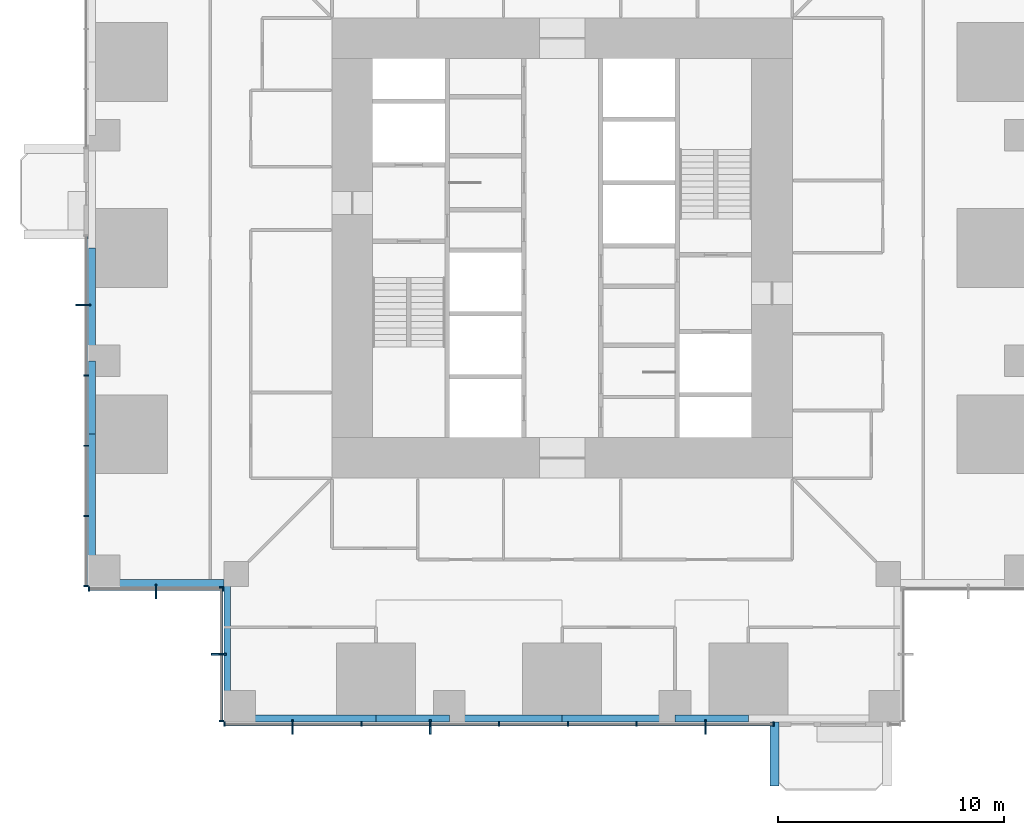
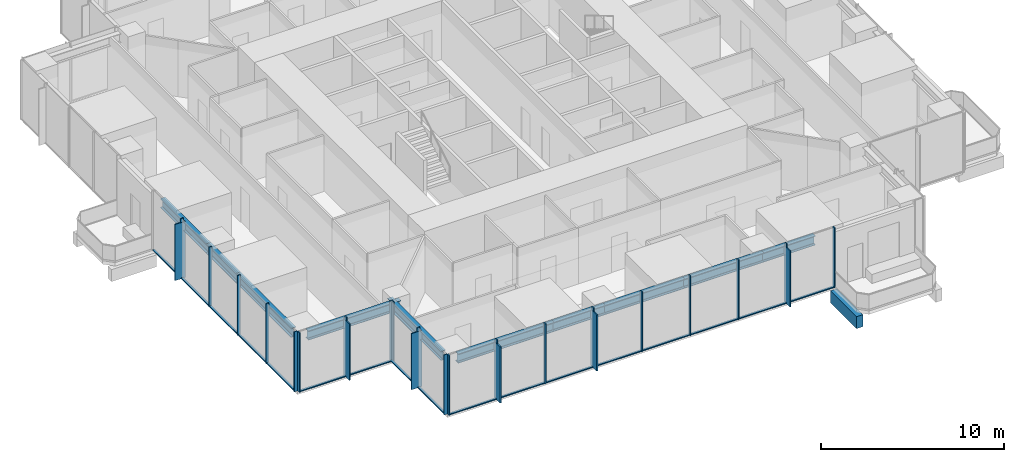
# One storey, part 2 of 15: 43 members, 11 beams, 4 elements without a shape of their own.
"""IFC4 building model written with IfcOpenShell, lengths in metres."""

from ifc_helpers import new_model, si_unit, direction, frame, origin, origin_2d, place, context, subcontext, project, spatial, rectangle, i_section, extrude, material, material_profile, profile_set, type_object, element, aggregate, save


model = new_model("IFC4")

# Units and contexts
model_context = context("Model", 3, precision=1e-05, world=origin(), true_north=direction((0.0, 1.0)))
body_context = subcontext(model_context, "Body", "Model", "MODEL_VIEW")
ifc_project = project(units=[si_unit("LENGTHUNIT", "METRE"), si_unit("AREAUNIT", "SQUARE_METRE"), si_unit("VOLUMEUNIT", "CUBIC_METRE"), si_unit("PLANEANGLEUNIT", "RADIAN"), si_unit("MASSUNIT", "GRAM", prefix="KILO")], contexts=[model_context])

# Site, building, storey
site_placement = place(None, origin())
site = spatial("IfcSite", under=ifc_project, at=site_placement, CompositionType="ELEMENT")
building_placement = place(site_placement, origin())
building = spatial("IfcBuilding", under=site, at=building_placement, Name="Svetlomir Tower", CompositionType="ELEMENT")
storey_placement = place(building_placement, frame((0.0, 0.0, 26.5)))
storey = spatial("IfcBuildingStorey", under=building, at=storey_placement, Name="L05", CompositionType="ELEMENT", Elevation=26.5)

# Beam
ifc_material_1 = material(Name="Concrete C60/75", Category="concrete")
ifc_material_profile_1 = material_profile(ifc_material_1, rectangle(XDim=0.39990234375, YDim=0.800048828125, at=origin_2d()), Name="RC 400x800")
ifc_profile_set_1 = profile_set([ifc_material_profile_1], Name="Concrete C60/75")
beam_type_1 = type_object("IfcBeamType", Name="BALCONY RIB RC 400x800", PredefinedType="BEAM", material=ifc_profile_set_1)
beam_1_placement = place(storey_placement, frame((30.39990234375, 0.0, -0.64990234375), z_axis=(0.0, -1.0, 0.0), x_axis=(1.0, 0.0, 0.0)))
element("IfcBeam", 1, at=beam_1_placement, inside=storey, type_object=beam_type_1, Name="Balcony rib S 1 L05", PredefinedType="BEAM", context=body_context, shape_type="SweptSolid", body=[
    extrude(rectangle(XDim=0.39990234375, YDim=0.800048828125, at=origin_2d()), origin(), (0.0, 0.0, 1.0), 2.85009765625),
])

# Curtain wall, members
ifc_material_2 = material(Name="Bronze anodised aluminium curtain wall", Category="aluminium")
curtain_wall_type = type_object("IfcCurtainWallType", Name="CURTAIN WALL CW1 TOWER OFFICE", PredefinedType="NOTDEFINED", material=ifc_material_2)
curtain_wall_1_placement = place(storey_placement, origin())
curtain_wall_1 = element("IfcCurtainWall", 2, at=curtain_wall_1_placement, inside=storey, type_object=curtain_wall_type, Name="Curtain wall CW1 L05", PredefinedType="NOTDEFINED")
ifc_material_3 = material(Name="Bronze anodised aluminium", Category="aluminium")
ifc_material_profile_2 = material_profile(ifc_material_3, rectangle(XDim=0.080078125, YDim=0.64990234375, at=origin_2d()), Name="FIN 80x650")
ifc_profile_set_2 = profile_set([ifc_material_profile_2], Name="Bronze anodised aluminium 6063-T6")
member_type_1 = type_object("IfcMemberType", Name="BRONZE FIN 80x650", PredefinedType="USERDEFINED", material=ifc_profile_set_2)
member_1_placement = place(storey_placement, frame((9.050048828125, -0.22509765625, 0.0), z_axis=(0.0, 0.0, 1.0), x_axis=(1.0, 0.0, 0.0)))
member_1 = element("IfcMember", 3, at=member_1_placement, type_object=member_type_1, Name="Bronze fin L05", ObjectType="FIN", PredefinedType="USERDEFINED", context=body_context, shape_type="SweptSolid", body=[
    extrude(rectangle(XDim=0.080078125, YDim=0.64990234375, at=origin_2d()), origin(), (0.0, 0.0, 1.0), 3.75),
])
member_2_placement = place(storey_placement, frame((15.14990234375, -0.22509765625, 0.0), z_axis=(0.0, 0.0, 1.0), x_axis=(1.0, 0.0, 0.0)))
member_2 = element("IfcMember", 4, at=member_2_placement, type_object=member_type_1, Name="Bronze fin L05", ObjectType="FIN", PredefinedType="USERDEFINED", context=body_context, shape_type="SweptSolid", body=[
    extrude(rectangle(XDim=0.080078125, YDim=0.64990234375, at=origin_2d()), origin(), (0.0, 0.0, 1.0), 3.75),
])
member_3_placement = place(storey_placement, frame((27.35009765625, -0.22509765625, 0.0), z_axis=(0.0, 0.0, 1.0), x_axis=(1.0, 0.0, 0.0)))
member_3 = element("IfcMember", 5, at=member_3_placement, type_object=member_type_1, Name="Bronze fin L05", ObjectType="FIN", PredefinedType="USERDEFINED", context=body_context, shape_type="SweptSolid", body=[
    extrude(rectangle(XDim=0.080078125, YDim=0.64990234375, at=origin_2d()), origin(), (0.0, 0.0, 1.0), 3.75),
])

# Curtain wall, member
curtain_wall_2_placement = place(storey_placement, origin())
curtain_wall_2 = element("IfcCurtainWall", 6, at=curtain_wall_2_placement, inside=storey, type_object=curtain_wall_type, Name="Curtain wall CW1 L05", PredefinedType="NOTDEFINED")
member_4_placement = place(storey_placement, frame((-0.22509765625, 18.47998046875, 0.0), z_axis=(0.0, 0.0, 1.0), x_axis=(0.0, 1.0, 0.0)))
member_4 = element("IfcMember", 7, at=member_4_placement, type_object=member_type_1, Name="Bronze fin L05", ObjectType="FIN", PredefinedType="USERDEFINED", context=body_context, shape_type="SweptSolid", body=[
    extrude(rectangle(XDim=0.080078125, YDim=0.64990234375, at=origin_2d()), origin(), (0.0, 0.0, 1.0), 3.75),
])

curtain_wall_3_placement = place(storey_placement, origin())
curtain_wall_3 = element("IfcCurtainWall", 8, at=curtain_wall_3_placement, inside=storey, type_object=curtain_wall_type, Name="Curtain wall CW1 L05", PredefinedType="NOTDEFINED")
member_5_placement = place(storey_placement, frame((3.0, 5.77490234375, 0.0), z_axis=(0.0, 0.0, 1.0), x_axis=(1.0, 0.0, 0.0)))
member_5 = element("IfcMember", 9, at=member_5_placement, type_object=member_type_1, Name="Bronze fin L05", ObjectType="FIN", PredefinedType="USERDEFINED", context=body_context, shape_type="SweptSolid", body=[
    extrude(rectangle(XDim=0.080078125, YDim=0.64990234375, at=origin_2d()), origin(), (0.0, 0.0, 1.0), 3.75),
])

curtain_wall_4_placement = place(storey_placement, origin())
curtain_wall_4 = element("IfcCurtainWall", 10, at=curtain_wall_4_placement, inside=storey, type_object=curtain_wall_type, Name="Curtain wall CW1 L05", PredefinedType="NOTDEFINED")
member_6_placement = place(storey_placement, frame((5.77490234375, 3.0, 0.0), z_axis=(0.0, 0.0, 1.0), x_axis=(0.0, 1.0, 0.0)))
member_6 = element("IfcMember", 11, at=member_6_placement, type_object=member_type_1, Name="Bronze fin L05", ObjectType="FIN", PredefinedType="USERDEFINED", context=body_context, shape_type="SweptSolid", body=[
    extrude(rectangle(XDim=0.080078125, YDim=0.64990234375, at=origin_2d()), origin(), (0.0, 0.0, 1.0), 3.75),
])

# Member
ifc_material_4 = material(Name="Bronze anodised aluminium", Category="aluminium")
ifc_material_profile_3 = material_profile(ifc_material_4, rectangle(XDim=0.06494140625, YDim=0.199951171875, at=origin_2d()), Name="AL 65x200")
ifc_profile_set_3 = profile_set([ifc_material_profile_3], Name="Bronze anodised aluminium 6063-T6")
member_type_2 = type_object("IfcMemberType", Name="CW1 MULLION 65x200", PredefinedType="MULLION", material=ifc_profile_set_3)
member_7_placement = place(storey_placement, frame((6.032470703125, -0.10009765625, 0.0), z_axis=(0.0, 0.0, 1.0), x_axis=(1.0, 0.0, 0.0)))
member_7 = element("IfcMember", 12, at=member_7_placement, type_object=member_type_2, Name="CW1 mullion 1", PredefinedType="MULLION", context=body_context, shape_type="SweptSolid", body=[
    extrude(rectangle(XDim=0.06494140625, YDim=0.199951171875, at=origin_2d()), origin(), (0.0, 0.0, 1.0), 4.0),
])

member_8_placement = place(storey_placement, frame((9.050048828125, -0.10009765625, 0.0), z_axis=(0.0, 0.0, 1.0), x_axis=(1.0, 0.0, 0.0)))
member_8 = element("IfcMember", 13, at=member_8_placement, type_object=member_type_2, Name="CW1 mullion 2", PredefinedType="MULLION", context=body_context, shape_type="SweptSolid", body=[
    extrude(rectangle(XDim=0.06494140625, YDim=0.199951171875, at=origin_2d()), origin(), (0.0, 0.0, 1.0), 4.0),
])

member_9_placement = place(storey_placement, frame((12.10009765625, -0.10009765625, 0.0), z_axis=(0.0, 0.0, 1.0), x_axis=(1.0, 0.0, 0.0)))
member_9 = element("IfcMember", 14, at=member_9_placement, type_object=member_type_2, Name="CW1 mullion 3", PredefinedType="MULLION", context=body_context, shape_type="SweptSolid", body=[
    extrude(rectangle(XDim=0.06494140625, YDim=0.199951171875, at=origin_2d()), origin(), (0.0, 0.0, 1.0), 4.0),
])

member_10_placement = place(storey_placement, frame((15.14990234375, -0.10009765625, 0.0), z_axis=(0.0, 0.0, 1.0), x_axis=(1.0, 0.0, 0.0)))
member_10 = element("IfcMember", 15, at=member_10_placement, type_object=member_type_2, Name="CW1 mullion 4", PredefinedType="MULLION", context=body_context, shape_type="SweptSolid", body=[
    extrude(rectangle(XDim=0.06494140625, YDim=0.199951171875, at=origin_2d()), origin(), (0.0, 0.0, 1.0), 4.0),
])

member_11_placement = place(storey_placement, frame((18.199951171875, -0.10009765625, 0.0), z_axis=(0.0, 0.0, 1.0), x_axis=(1.0, 0.0, 0.0)))
member_11 = element("IfcMember", 16, at=member_11_placement, type_object=member_type_2, Name="CW1 mullion 5", PredefinedType="MULLION", context=body_context, shape_type="SweptSolid", body=[
    extrude(rectangle(XDim=0.06494140625, YDim=0.199951171875, at=origin_2d()), origin(), (0.0, 0.0, 1.0), 4.0),
])

member_12_placement = place(storey_placement, frame((21.25, -0.10009765625, 0.0), z_axis=(0.0, 0.0, 1.0), x_axis=(1.0, 0.0, 0.0)))
member_12 = element("IfcMember", 17, at=member_12_placement, type_object=member_type_2, Name="CW1 mullion 6", PredefinedType="MULLION", context=body_context, shape_type="SweptSolid", body=[
    extrude(rectangle(XDim=0.06494140625, YDim=0.199951171875, at=origin_2d()), origin(), (0.0, 0.0, 1.0), 4.0),
])

member_13_placement = place(storey_placement, frame((24.300048828125, -0.10009765625, 0.0), z_axis=(0.0, 0.0, 1.0), x_axis=(1.0, 0.0, 0.0)))
member_13 = element("IfcMember", 18, at=member_13_placement, type_object=member_type_2, Name="CW1 mullion 7", PredefinedType="MULLION", context=body_context, shape_type="SweptSolid", body=[
    extrude(rectangle(XDim=0.06494140625, YDim=0.199951171875, at=origin_2d()), origin(), (0.0, 0.0, 1.0), 4.0),
])

member_14_placement = place(storey_placement, frame((27.35009765625, -0.10009765625, 0.0), z_axis=(0.0, 0.0, 1.0), x_axis=(1.0, 0.0, 0.0)))
member_14 = element("IfcMember", 19, at=member_14_placement, type_object=member_type_2, Name="CW1 mullion 8", PredefinedType="MULLION", context=body_context, shape_type="SweptSolid", body=[
    extrude(rectangle(XDim=0.06494140625, YDim=0.199951171875, at=origin_2d()), origin(), (0.0, 0.0, 1.0), 4.0),
])

member_15_placement = place(storey_placement, frame((30.367431640625, -0.10009765625, 0.0), z_axis=(0.0, 0.0, 1.0), x_axis=(1.0, 0.0, 0.0)))
member_15 = element("IfcMember", 20, at=member_15_placement, type_object=member_type_2, Name="CW1 mullion 9", PredefinedType="MULLION", context=body_context, shape_type="SweptSolid", body=[
    extrude(rectangle(XDim=0.06494140625, YDim=0.199951171875, at=origin_2d()), origin(), (0.0, 0.0, 1.0), 4.0),
])

member_16_placement = place(storey_placement, frame((-0.10009765625, 18.47998046875, 0.0), z_axis=(0.0, 0.0, 1.0), x_axis=(0.0, -1.0, 0.0)))
member_16 = element("IfcMember", 21, at=member_16_placement, type_object=member_type_2, Name="CW1 mullion 2", PredefinedType="MULLION", context=body_context, shape_type="SweptSolid", body=[
    extrude(rectangle(XDim=0.06494140625, YDim=0.199951171875, at=origin_2d()), origin(), (0.0, 0.0, 1.0), 4.0),
])

member_17_placement = place(storey_placement, frame((-0.10009765625, 15.360107421875, 0.0), z_axis=(0.0, 0.0, 1.0), x_axis=(0.0, -1.0, 0.0)))
member_17 = element("IfcMember", 22, at=member_17_placement, type_object=member_type_2, Name="CW1 mullion 3", PredefinedType="MULLION", context=body_context, shape_type="SweptSolid", body=[
    extrude(rectangle(XDim=0.06494140625, YDim=0.199951171875, at=origin_2d()), origin(), (0.0, 0.0, 1.0), 4.0),
])

member_18_placement = place(storey_placement, frame((-0.10009765625, 12.239990234375, 0.0), z_axis=(0.0, 0.0, 1.0), x_axis=(0.0, -1.0, 0.0)))
member_18 = element("IfcMember", 23, at=member_18_placement, type_object=member_type_2, Name="CW1 mullion 4", PredefinedType="MULLION", context=body_context, shape_type="SweptSolid", body=[
    extrude(rectangle(XDim=0.06494140625, YDim=0.199951171875, at=origin_2d()), origin(), (0.0, 0.0, 1.0), 4.0),
])

member_19_placement = place(storey_placement, frame((-0.10009765625, 9.1201171875, 0.0), z_axis=(0.0, 0.0, 1.0), x_axis=(0.0, -1.0, 0.0)))
member_19 = element("IfcMember", 24, at=member_19_placement, type_object=member_type_2, Name="CW1 mullion 5", PredefinedType="MULLION", context=body_context, shape_type="SweptSolid", body=[
    extrude(rectangle(XDim=0.06494140625, YDim=0.199951171875, at=origin_2d()), origin(), (0.0, 0.0, 1.0), 4.0),
])

member_20_placement = place(storey_placement, frame((-0.10009765625, 6.032470703125, 0.0), z_axis=(0.0, 0.0, 1.0), x_axis=(0.0, -1.0, 0.0)))
member_20 = element("IfcMember", 25, at=member_20_placement, type_object=member_type_2, Name="CW1 mullion 6", PredefinedType="MULLION", context=body_context, shape_type="SweptSolid", body=[
    extrude(rectangle(XDim=0.06494140625, YDim=0.199951171875, at=origin_2d()), origin(), (0.0, 0.0, 1.0), 4.0),
])

member_21_placement = place(storey_placement, frame((0.032470703125, 5.89990234375, 0.0), z_axis=(0.0, 0.0, 1.0), x_axis=(1.0, 0.0, 0.0)))
member_21 = element("IfcMember", 26, at=member_21_placement, type_object=member_type_2, Name="CW1 mullion 1", PredefinedType="MULLION", context=body_context, shape_type="SweptSolid", body=[
    extrude(rectangle(XDim=0.06494140625, YDim=0.199951171875, at=origin_2d()), origin(), (0.0, 0.0, 1.0), 4.0),
])

member_22_placement = place(storey_placement, frame((3.0, 5.89990234375, 0.0), z_axis=(0.0, 0.0, 1.0), x_axis=(1.0, 0.0, 0.0)))
member_22 = element("IfcMember", 27, at=member_22_placement, type_object=member_type_2, Name="CW1 mullion 2", PredefinedType="MULLION", context=body_context, shape_type="SweptSolid", body=[
    extrude(rectangle(XDim=0.06494140625, YDim=0.199951171875, at=origin_2d()), origin(), (0.0, 0.0, 1.0), 4.0),
])

member_23_placement = place(storey_placement, frame((5.967529296875, 5.89990234375, 0.0), z_axis=(0.0, 0.0, 1.0), x_axis=(1.0, 0.0, 0.0)))
member_23 = element("IfcMember", 28, at=member_23_placement, type_object=member_type_2, Name="CW1 mullion 3", PredefinedType="MULLION", context=body_context, shape_type="SweptSolid", body=[
    extrude(rectangle(XDim=0.06494140625, YDim=0.199951171875, at=origin_2d()), origin(), (0.0, 0.0, 1.0), 4.0),
])

member_24_placement = place(storey_placement, frame((5.89990234375, 5.967529296875, 0.0), z_axis=(0.0, 0.0, 1.0), x_axis=(0.0, -1.0, 0.0)))
member_24 = element("IfcMember", 29, at=member_24_placement, type_object=member_type_2, Name="CW1 mullion 1", PredefinedType="MULLION", context=body_context, shape_type="SweptSolid", body=[
    extrude(rectangle(XDim=0.06494140625, YDim=0.199951171875, at=origin_2d()), origin(), (0.0, 0.0, 1.0), 4.0),
])

member_25_placement = place(storey_placement, frame((5.89990234375, 3.0, 0.0), z_axis=(0.0, 0.0, 1.0), x_axis=(0.0, -1.0, 0.0)))
member_25 = element("IfcMember", 30, at=member_25_placement, type_object=member_type_2, Name="CW1 mullion 2", PredefinedType="MULLION", context=body_context, shape_type="SweptSolid", body=[
    extrude(rectangle(XDim=0.06494140625, YDim=0.199951171875, at=origin_2d()), origin(), (0.0, 0.0, 1.0), 4.0),
])

member_26_placement = place(storey_placement, frame((5.89990234375, 0.032470703125, 0.0), z_axis=(0.0, 0.0, 1.0), x_axis=(0.0, -1.0, 0.0)))
member_26 = element("IfcMember", 31, at=member_26_placement, type_object=member_type_2, Name="CW1 mullion 3", PredefinedType="MULLION", context=body_context, shape_type="SweptSolid", body=[
    extrude(rectangle(XDim=0.06494140625, YDim=0.199951171875, at=origin_2d()), origin(), (0.0, 0.0, 1.0), 4.0),
])

ifc_material_5 = material(Name="Bronze anodised aluminium", Category="aluminium")
ifc_material_profile_4 = material_profile(ifc_material_5, rectangle(XDim=0.139892578125, YDim=0.06494140625, at=origin_2d()), Name="AL 140x65")
ifc_profile_set_4 = profile_set([ifc_material_profile_4], Name="Bronze anodised aluminium 6063-T6")
member_type_3 = type_object("IfcMemberType", Name="CW1 TRANSOM 65x140", PredefinedType="USERDEFINED", material=ifc_profile_set_4)
member_27_placement = place(storey_placement, frame((6.06494140625, -0.10009765625, 0.032470703125), z_axis=(1.0, 0.0, 0.0), x_axis=(0.0, 1.0, 0.0)))
member_27 = element("IfcMember", 32, at=member_27_placement, type_object=member_type_3, Name="CW1 transom 1.1", ObjectType="TRANSOM", PredefinedType="USERDEFINED", context=body_context, shape_type="SweptSolid", body=[
    extrude(rectangle(XDim=0.139892578125, YDim=0.06494140625, at=origin_2d()), origin(), (0.0, 0.0, 1.0), 2.95263671875),
])

member_28_placement = place(storey_placement, frame((9.08251953125, -0.10009765625, 0.032470703125), z_axis=(1.0, 0.0, 0.0), x_axis=(0.0, 1.0, 0.0)))
member_28 = element("IfcMember", 33, at=member_28_placement, type_object=member_type_3, Name="CW1 transom 2.1", ObjectType="TRANSOM", PredefinedType="USERDEFINED", context=body_context, shape_type="SweptSolid", body=[
    extrude(rectangle(XDim=0.139892578125, YDim=0.06494140625, at=origin_2d()), origin(), (0.0, 0.0, 1.0), 2.98486328125),
])

member_29_placement = place(storey_placement, frame((12.132568359375, -0.10009765625, 0.032470703125), z_axis=(1.0, 0.0, 0.0), x_axis=(0.0, 1.0, 0.0)))
member_29 = element("IfcMember", 34, at=member_29_placement, type_object=member_type_3, Name="CW1 transom 3.1", ObjectType="TRANSOM", PredefinedType="USERDEFINED", context=body_context, shape_type="SweptSolid", body=[
    extrude(rectangle(XDim=0.139892578125, YDim=0.06494140625, at=origin_2d()), origin(), (0.0, 0.0, 1.0), 2.98486328125),
])

member_30_placement = place(storey_placement, frame((15.1826171875, -0.10009765625, 0.032470703125), z_axis=(1.0, 0.0, 0.0), x_axis=(0.0, 1.0, 0.0)))
member_30 = element("IfcMember", 35, at=member_30_placement, type_object=member_type_3, Name="CW1 transom 4.1", ObjectType="TRANSOM", PredefinedType="USERDEFINED", context=body_context, shape_type="SweptSolid", body=[
    extrude(rectangle(XDim=0.139892578125, YDim=0.06494140625, at=origin_2d()), origin(), (0.0, 0.0, 1.0), 2.98486328125),
])

member_31_placement = place(storey_placement, frame((18.232421875, -0.10009765625, 0.032470703125), z_axis=(1.0, 0.0, 0.0), x_axis=(0.0, 1.0, 0.0)))
member_31 = element("IfcMember", 36, at=member_31_placement, type_object=member_type_3, Name="CW1 transom 5.1", ObjectType="TRANSOM", PredefinedType="USERDEFINED", context=body_context, shape_type="SweptSolid", body=[
    extrude(rectangle(XDim=0.139892578125, YDim=0.06494140625, at=origin_2d()), origin(), (0.0, 0.0, 1.0), 2.985107421875),
])

member_32_placement = place(storey_placement, frame((21.282470703125, -0.10009765625, 0.032470703125), z_axis=(1.0, 0.0, 0.0), x_axis=(0.0, 1.0, 0.0)))
member_32 = element("IfcMember", 37, at=member_32_placement, type_object=member_type_3, Name="CW1 transom 6.1", ObjectType="TRANSOM", PredefinedType="USERDEFINED", context=body_context, shape_type="SweptSolid", body=[
    extrude(rectangle(XDim=0.139892578125, YDim=0.06494140625, at=origin_2d()), origin(), (0.0, 0.0, 1.0), 2.985107421875),
])

member_33_placement = place(storey_placement, frame((24.33251953125, -0.10009765625, 0.032470703125), z_axis=(1.0, 0.0, 0.0), x_axis=(0.0, 1.0, 0.0)))
member_33 = element("IfcMember", 38, at=member_33_placement, type_object=member_type_3, Name="CW1 transom 7.1", ObjectType="TRANSOM", PredefinedType="USERDEFINED", context=body_context, shape_type="SweptSolid", body=[
    extrude(rectangle(XDim=0.139892578125, YDim=0.06494140625, at=origin_2d()), origin(), (0.0, 0.0, 1.0), 2.98486328125),
])

member_34_placement = place(storey_placement, frame((27.382568359375, -0.10009765625, 0.032470703125), z_axis=(1.0, 0.0, 0.0), x_axis=(0.0, 1.0, 0.0)))
member_34 = element("IfcMember", 39, at=member_34_placement, type_object=member_type_3, Name="CW1 transom 8.1", ObjectType="TRANSOM", PredefinedType="USERDEFINED", context=body_context, shape_type="SweptSolid", body=[
    extrude(rectangle(XDim=0.139892578125, YDim=0.06494140625, at=origin_2d()), origin(), (0.0, 0.0, 1.0), 2.952392578125),
])

aggregate(curtain_wall_1, [member_7, member_8, member_9, member_10, member_11, member_12, member_13, member_14, member_15, member_27, member_28, member_29, member_30, member_31, member_32, member_33, member_34, member_1, member_2, member_3])

member_35_placement = place(storey_placement, frame((-0.10009765625, 21.534912109375, 0.032470703125), z_axis=(0.0, -1.0, 0.0), x_axis=(1.0, 0.0, 0.0)))
member_35 = element("IfcMember", 40, at=member_35_placement, type_object=member_type_3, Name="CW1 transom 1.1", ObjectType="TRANSOM", PredefinedType="USERDEFINED", context=body_context, shape_type="SweptSolid", body=[
    extrude(rectangle(XDim=0.139892578125, YDim=0.06494140625, at=origin_2d()), origin(), (0.0, 0.0, 1.0), 3.0224609375),
])

member_36_placement = place(storey_placement, frame((-0.10009765625, 18.447509765625, 0.032470703125), z_axis=(0.0, -1.0, 0.0), x_axis=(1.0, 0.0, 0.0)))
member_36 = element("IfcMember", 41, at=member_36_placement, type_object=member_type_3, Name="CW1 transom 2.1", ObjectType="TRANSOM", PredefinedType="USERDEFINED", context=body_context, shape_type="SweptSolid", body=[
    extrude(rectangle(XDim=0.139892578125, YDim=0.06494140625, at=origin_2d()), origin(), (0.0, 0.0, 1.0), 3.054931640625),
])

member_37_placement = place(storey_placement, frame((-0.10009765625, 15.327392578125, 0.032470703125), z_axis=(0.0, -1.0, 0.0), x_axis=(1.0, 0.0, 0.0)))
member_37 = element("IfcMember", 42, at=member_37_placement, type_object=member_type_3, Name="CW1 transom 3.1", ObjectType="TRANSOM", PredefinedType="USERDEFINED", context=body_context, shape_type="SweptSolid", body=[
    extrude(rectangle(XDim=0.139892578125, YDim=0.06494140625, at=origin_2d()), origin(), (0.0, 0.0, 1.0), 3.054931640625),
])

member_38_placement = place(storey_placement, frame((-0.10009765625, 12.20751953125, 0.032470703125), z_axis=(0.0, -1.0, 0.0), x_axis=(1.0, 0.0, 0.0)))
member_38 = element("IfcMember", 43, at=member_38_placement, type_object=member_type_3, Name="CW1 transom 4.1", ObjectType="TRANSOM", PredefinedType="USERDEFINED", context=body_context, shape_type="SweptSolid", body=[
    extrude(rectangle(XDim=0.139892578125, YDim=0.06494140625, at=origin_2d()), origin(), (0.0, 0.0, 1.0), 3.054931640625),
])

member_39_placement = place(storey_placement, frame((-0.10009765625, 9.08740234375, 0.032470703125), z_axis=(0.0, -1.0, 0.0), x_axis=(1.0, 0.0, 0.0)))
member_39 = element("IfcMember", 44, at=member_39_placement, type_object=member_type_3, Name="CW1 transom 5.1", ObjectType="TRANSOM", PredefinedType="USERDEFINED", context=body_context, shape_type="SweptSolid", body=[
    extrude(rectangle(XDim=0.139892578125, YDim=0.06494140625, at=origin_2d()), origin(), (0.0, 0.0, 1.0), 3.0224609375),
])

aggregate(curtain_wall_2, [member_16, member_17, member_18, member_19, member_20, member_35, member_36, member_37, member_38, member_39, member_4])

member_40_placement = place(storey_placement, frame((0.06494140625, 5.89990234375, 0.032470703125), z_axis=(1.0, 0.0, 0.0), x_axis=(0.0, 1.0, 0.0)))
member_40 = element("IfcMember", 45, at=member_40_placement, type_object=member_type_3, Name="CW1 transom 1.1", ObjectType="TRANSOM", PredefinedType="USERDEFINED", context=body_context, shape_type="SweptSolid", body=[
    extrude(rectangle(XDim=0.139892578125, YDim=0.06494140625, at=origin_2d()), origin(), (0.0, 0.0, 1.0), 2.902587890625),
])

member_41_placement = place(storey_placement, frame((3.032470703125, 5.89990234375, 0.032470703125), z_axis=(1.0, 0.0, 0.0), x_axis=(0.0, 1.0, 0.0)))
member_41 = element("IfcMember", 46, at=member_41_placement, type_object=member_type_3, Name="CW1 transom 2.1", ObjectType="TRANSOM", PredefinedType="USERDEFINED", context=body_context, shape_type="SweptSolid", body=[
    extrude(rectangle(XDim=0.139892578125, YDim=0.06494140625, at=origin_2d()), origin(), (0.0, 0.0, 1.0), 2.902587890625),
])

aggregate(curtain_wall_3, [member_21, member_22, member_23, member_40, member_41, member_5])

member_42_placement = place(storey_placement, frame((5.89990234375, 5.93505859375, 0.032470703125), z_axis=(0.0, -1.0, 0.0), x_axis=(1.0, 0.0, 0.0)))
member_42 = element("IfcMember", 47, at=member_42_placement, type_object=member_type_3, Name="CW1 transom 1.1", ObjectType="TRANSOM", PredefinedType="USERDEFINED", context=body_context, shape_type="SweptSolid", body=[
    extrude(rectangle(XDim=0.139892578125, YDim=0.06494140625, at=origin_2d()), origin(), (0.0, 0.0, 1.0), 2.902587890625),
])

member_43_placement = place(storey_placement, frame((5.89990234375, 2.967529296875, 0.032470703125), z_axis=(0.0, -1.0, 0.0), x_axis=(1.0, 0.0, 0.0)))
member_43 = element("IfcMember", 48, at=member_43_placement, type_object=member_type_3, Name="CW1 transom 2.1", ObjectType="TRANSOM", PredefinedType="USERDEFINED", context=body_context, shape_type="SweptSolid", body=[
    extrude(rectangle(XDim=0.139892578125, YDim=0.06494140625, at=origin_2d()), origin(), (0.0, 0.0, 1.0), 2.902587890625),
])

aggregate(curtain_wall_4, [member_24, member_25, member_26, member_42, member_43, member_6])

# Beams
ifc_material_6 = material(Name="Steel S355", Category="steel")
ifc_material_profile_5 = material_profile(ifc_material_6, i_section(OverallWidth=0.304931640625, OverallDepth=0.6201171875, WebThickness=0.02099609375, FlangeThickness=0.0400390625, FilletRadius=0.027099609375, at=origin_2d()), Name="HEM 600")
ifc_profile_set_5 = profile_set([ifc_material_profile_5], Name="Steel S355")
beam_type_2 = type_object("IfcBeamType", Name="EDGE BEAM HEM 600", PredefinedType="SPANDREL", material=ifc_profile_set_5)
for number, where, z_axis, x_axis, name in (
    (49, (6.699951171875, 0.152587890625, 3.43994140625), (1.0, 0.0, 0.0), (0.0, 1.0, 0.0), "Edge beam 6/0 to 11/0 under L06"),
    (50, (0.152587890625, 6.699951171875, 3.43994140625), (0.0, 1.0, 0.0), (-1.0, 0.0, 0.0), "Edge beam 0/6 to 0/11 under L06"),
):
    element("IfcBeam", number, at=place(storey_placement, frame(where, z_axis=z_axis, x_axis=x_axis)), inside=storey, type_object=beam_type_2, Name=name, PredefinedType="SPANDREL", context=body_context, shape_type="SweptSolid", body=[
        extrude(i_section(OverallWidth=0.304931640625, OverallDepth=0.6201171875, WebThickness=0.02099609375, FlangeThickness=0.0400390625, FilletRadius=0.027099609375, at=origin_2d()), origin(), (0.0, 0.0, 1.0), 6.050048828125),
    ])
for number, where, z_axis, x_axis, name in (
    (51, (12.75, 0.152587890625, 3.43994140625), (1.0, 0.0, 0.0), (0.0, 1.0, 0.0), "Edge beam 11/0 to 16/0 under L06"),
    (52, (0.152587890625, 12.75, 3.43994140625), (0.0, 1.0, 0.0), (-1.0, 0.0, 0.0), "Edge beam 0/11 to 0/16 under L06"),
):
    element("IfcBeam", number, at=place(storey_placement, frame(where, z_axis=z_axis, x_axis=x_axis)), inside=storey, type_object=beam_type_2, Name=name, PredefinedType="SPANDREL", context=body_context, shape_type="SweptSolid", body=[
        extrude(i_section(OverallWidth=0.304931640625, OverallDepth=0.6201171875, WebThickness=0.02099609375, FlangeThickness=0.0400390625, FilletRadius=0.027099609375, at=origin_2d()), origin(), (0.0, 0.0, 1.0), 3.25),
    ])
for number, where, z_axis, x_axis, name in (
    (53, (16.0, 0.152587890625, 3.43994140625), (1.0, 0.0, 0.0), (0.0, 1.0, 0.0), "Edge beam 16/0 to 21/0 under L06"),
    (54, (0.152587890625, 16.0, 3.43994140625), (0.0, 1.0, 0.0), (-1.0, 0.0, 0.0), "Edge beam 0/16 to 0/21 under L06"),
    (55, (21.0, 0.152587890625, 3.43994140625), (1.0, 0.0, 0.0), (0.0, 1.0, 0.0), "Edge beam 21/0 to 26/0 under L06"),
):
    element("IfcBeam", number, at=place(storey_placement, frame(where, z_axis=z_axis, x_axis=x_axis)), inside=storey, type_object=beam_type_2, Name=name, PredefinedType="SPANDREL", context=body_context, shape_type="SweptSolid", body=[
        extrude(i_section(OverallWidth=0.304931640625, OverallDepth=0.6201171875, WebThickness=0.02099609375, FlangeThickness=0.0400390625, FilletRadius=0.027099609375, at=origin_2d()), origin(), (0.0, 0.0, 1.0), 5.0),
    ])
beam_2_placement = place(storey_placement, frame((26.0, 0.152587890625, 3.43994140625), z_axis=(1.0, 0.0, 0.0), x_axis=(0.0, 1.0, 0.0)))
element("IfcBeam", 56, at=beam_2_placement, inside=storey, type_object=beam_type_2, Name="Edge beam 26/0 to 31/0 under L06", PredefinedType="SPANDREL", context=body_context, shape_type="SweptSolid", body=[
    extrude(i_section(OverallWidth=0.304931640625, OverallDepth=0.6201171875, WebThickness=0.02099609375, FlangeThickness=0.0400390625, FilletRadius=0.027099609375, at=origin_2d()), origin(), (0.0, 0.0, 1.0), 3.25),
])
for number, where, z_axis, x_axis, name in (
    (57, (6.152587890625, 0.699951171875, 3.43994140625), (0.0, 1.0, 0.0), (-1.0, 0.0, 0.0), "Edge beam 6/0 to 6/6 under L06"),
    (58, (0.699951171875, 6.152587890625, 3.43994140625), (1.0, 0.0, 0.0), (0.0, 1.0, 0.0), "Edge beam 0/6 to 6/6 under L06"),
):
    element("IfcBeam", number, at=place(storey_placement, frame(where, z_axis=z_axis, x_axis=x_axis)), inside=storey, type_object=beam_type_2, Name=name, PredefinedType="SPANDREL", context=body_context, shape_type="SweptSolid", body=[
        extrude(i_section(OverallWidth=0.304931640625, OverallDepth=0.6201171875, WebThickness=0.02099609375, FlangeThickness=0.0400390625, FilletRadius=0.027099609375, at=origin_2d()), origin(), (0.0, 0.0, 1.0), 5.85009765625),
    ])

save(model, "model.ifc")
